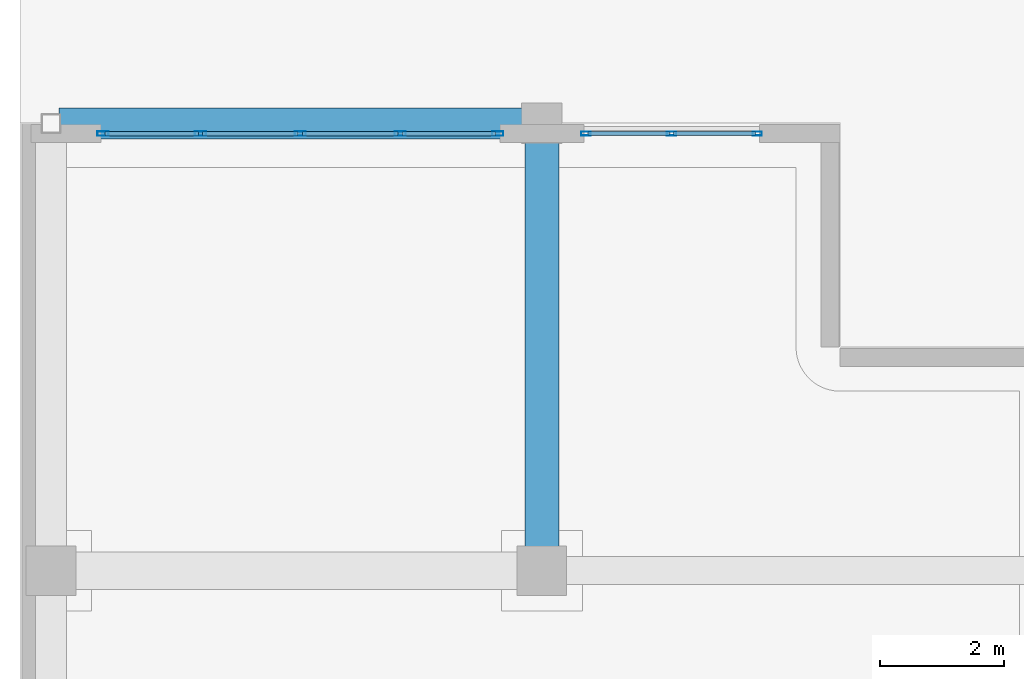
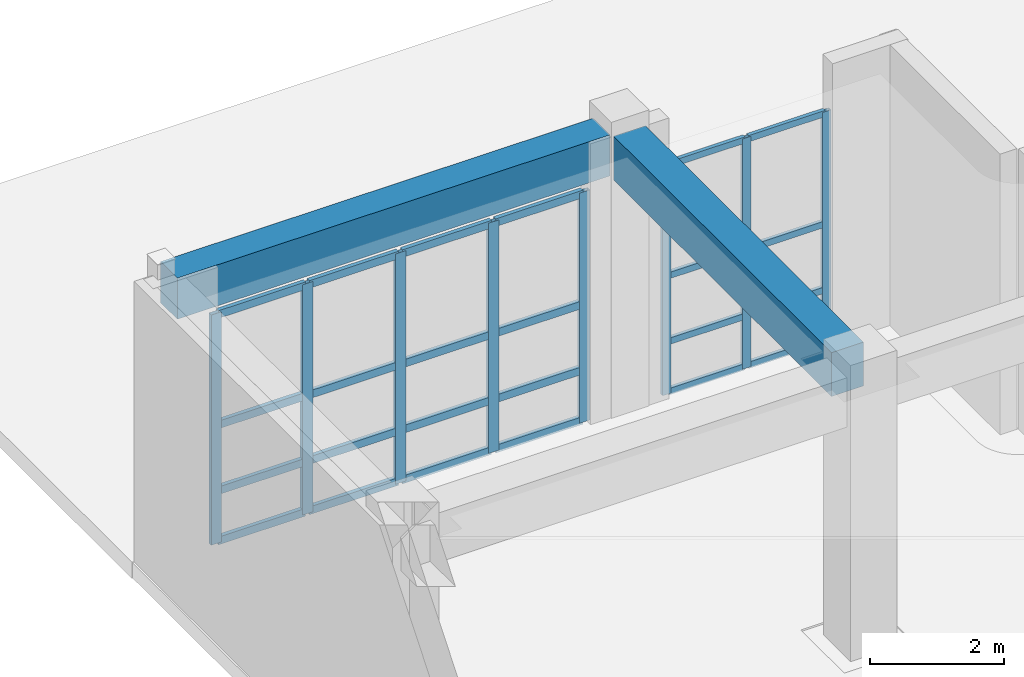
# One storey, part 55 of 148: 32 members, 2 beams, 2 elements without a shape of their own.
"""IFC4 building model written with IfcOpenShell, lengths in metres."""

from ifc_helpers import new_model, si_unit, direction, frame, origin, origin_2d, place, context, subcontext, project, spatial, rectangle, hollow_rectangle, extrude, material, layer, layer_set, material_profile, profile_set, type_object, element, aggregate, save


model = new_model("IFC4")

# Units and contexts
model_context = context("Model", 3, precision=1e-05, world=origin(), true_north=direction((0.0, 1.0)))
body_context = subcontext(model_context, "Body", "Model", "MODEL_VIEW")
ifc_project = project(units=[si_unit("LENGTHUNIT", "METRE"), si_unit("AREAUNIT", "SQUARE_METRE"), si_unit("VOLUMEUNIT", "CUBIC_METRE"), si_unit("PLANEANGLEUNIT", "RADIAN"), si_unit("MASSUNIT", "GRAM", prefix="KILO")], contexts=[model_context])

# Site, building, storey
site_placement = place(None, origin())
site = spatial("IfcSite", under=ifc_project, at=site_placement, CompositionType="ELEMENT")
building_placement = place(site_placement, origin())
building = spatial("IfcBuilding", under=site, at=building_placement, Name="Quendrovan Civic Courthouse", CompositionType="ELEMENT")
storey_placement = place(building_placement, origin())
storey = spatial("IfcBuildingStorey", under=building, at=storey_placement, Name="L01", CompositionType="ELEMENT", Elevation=0.0)

# Beams
ifc_material_1 = material(Name="Concrete C40/50", Category="concrete")
ifc_material_profile_1 = material_profile(ifc_material_1, rectangle(XDim=0.5, YDim=0.75, at=origin_2d()), Name="RC-BM-500x750")
ifc_profile_set_1 = profile_set([ifc_material_profile_1], Name="Concrete C40/50")
beam_type_1 = type_object("IfcBeamType", Name="BM-RC750", PredefinedType="SPANDREL", material=ifc_profile_set_1)
beam_1_placement = place(storey_placement, frame((0.6298828125, 102.0, 4.7451171875), z_axis=(1.0, 0.0, 0.0), x_axis=(0.0, 1.0, 0.0)))
element("IfcBeam", 1, at=beam_1_placement, inside=storey, type_object=beam_type_1, Name="L01 Girder X0340", PredefinedType="SPANDREL", context=body_context, shape_type="SweptSolid", body=[
    extrude(rectangle(XDim=0.5, YDim=0.75, at=origin_2d()), origin(), (0.0, 0.0, 1.0), 7.465087890625),
])
ifc_material_profile_2 = material_profile(ifc_material_1, rectangle(XDim=0.550048828125, YDim=0.800048828125, at=origin_2d()), Name="RC-BM-550x800")
ifc_profile_set_2 = profile_set([ifc_material_profile_2], Name="Concrete C40/50")
beam_type_2 = type_object("IfcBeamType", Name="BM-RC800", PredefinedType="BEAM", material=ifc_profile_set_2)
beam_2_placement = place(storey_placement, frame((8.39990234375, 95.179931640625, 4.719970703125), z_axis=(0.0, 1.0, 0.0), x_axis=(-1.0, 0.0, 0.0)))
element("IfcBeam", 2, at=beam_2_placement, inside=storey, type_object=beam_type_2, Name="L01 Girder Y0386", PredefinedType="BEAM", context=body_context, shape_type="SweptSolid", body=[
    extrude(rectangle(XDim=0.550048828125, YDim=0.800048828125, at=origin_2d()), origin(), (0.0, 0.0, 1.0), 6.51513671875),
])

# Curtain wall, members
ifc_material_2 = material(Name="Bronze anodised aluminium and low-E glass", Category="aluminium")
ifc_layer_1 = layer(ifc_material_2, 0.179931640625, Name="Bronze anodised aluminium and low-E glass")
ifc_layer_set_1 = layer_set([ifc_layer_1], Name="Bronze anodised aluminium and low-E glass")
curtain_wall_type_1 = type_object("IfcCurtainWallType", Name="CW-U64x42", PredefinedType="USERDEFINED", material=ifc_layer_set_1)
curtain_wall_1_placement = place(storey_placement, origin())
curtain_wall_1 = element("IfcCurtainWall", 3, at=curtain_wall_1_placement, inside=storey, type_object=curtain_wall_type_1, Name="L01 Unitised Hurricane Curtain Wall CW-016", ObjectType="UNITISED CURTAIN WALL", PredefinedType="USERDEFINED")
ifc_material_3 = material(Name="Bronze anodised aluminium", Category="aluminium")
ifc_material_profile_3 = material_profile(ifc_material_3, hollow_rectangle(XDim=0.070068359375, YDim=0.179931640625, WallThickness=0.00390625, at=origin_2d()), Name="CW-MULL-70x180")
ifc_profile_set_3 = profile_set([ifc_material_profile_3], Name="Bronze anodised aluminium")
member_type_1 = type_object("IfcMemberType", Name="CW-MULL-A", PredefinedType="MULLION", material=ifc_profile_set_3)
member_1_placement = place(storey_placement, frame((1.3349609375, 101.8349609375, 0.0), z_axis=(0.0, 0.0, 1.0), x_axis=(0.0, 1.0, 0.0)))
member_1 = element("IfcMember", 4, at=member_1_placement, type_object=member_type_1, Name="CW-016 mullion 1", PredefinedType="MULLION", context=body_context, shape_type="SweptSolid", body=[
    extrude(hollow_rectangle(XDim=0.070068359375, YDim=0.179931640625, WallThickness=0.00390625, at=origin_2d()), origin(), (0.0, 0.0, 1.0), 4.199951171875),
])
member_2_placement = place(storey_placement, frame((2.90625, 101.8349609375, 0.0), z_axis=(0.0, 0.0, 1.0), x_axis=(0.0, 1.0, 0.0)))
member_2 = element("IfcMember", 5, at=member_2_placement, type_object=member_type_1, Name="CW-016 mullion 2", PredefinedType="MULLION", context=body_context, shape_type="SweptSolid", body=[
    extrude(hollow_rectangle(XDim=0.070068359375, YDim=0.179931640625, WallThickness=0.00390625, at=origin_2d()), origin(), (0.0, 0.0, 1.0), 4.199951171875),
])
member_3_placement = place(storey_placement, frame((4.512451171875, 101.8349609375, 0.0), z_axis=(0.0, 0.0, 1.0), x_axis=(0.0, 1.0, 0.0)))
member_3 = element("IfcMember", 6, at=member_3_placement, type_object=member_type_1, Name="CW-016 mullion 3", PredefinedType="MULLION", context=body_context, shape_type="SweptSolid", body=[
    extrude(hollow_rectangle(XDim=0.070068359375, YDim=0.179931640625, WallThickness=0.00390625, at=origin_2d()), origin(), (0.0, 0.0, 1.0), 4.199951171875),
])
member_4_placement = place(storey_placement, frame((6.11865234375, 101.8349609375, 0.0), z_axis=(0.0, 0.0, 1.0), x_axis=(0.0, 1.0, 0.0)))
member_4 = element("IfcMember", 7, at=member_4_placement, type_object=member_type_1, Name="CW-016 mullion 4", PredefinedType="MULLION", context=body_context, shape_type="SweptSolid", body=[
    extrude(hollow_rectangle(XDim=0.070068359375, YDim=0.179931640625, WallThickness=0.00390625, at=origin_2d()), origin(), (0.0, 0.0, 1.0), 4.199951171875),
])
member_5_placement = place(storey_placement, frame((7.68994140625, 101.8349609375, 0.0), z_axis=(0.0, 0.0, 1.0), x_axis=(0.0, 1.0, 0.0)))
member_5 = element("IfcMember", 8, at=member_5_placement, type_object=member_type_1, Name="CW-016 mullion 5", PredefinedType="MULLION", context=body_context, shape_type="SweptSolid", body=[
    extrude(hollow_rectangle(XDim=0.070068359375, YDim=0.179931640625, WallThickness=0.00390625, at=origin_2d()), origin(), (0.0, 0.0, 1.0), 4.199951171875),
])

ifc_layer_2 = layer(ifc_material_2, 0.179931640625, Name="Bronze anodised aluminium and low-E glass")
ifc_layer_set_2 = layer_set([ifc_layer_2], Name="Bronze anodised aluminium and low-E glass")
curtain_wall_type_2 = type_object("IfcCurtainWallType", Name="CW-U28x42", PredefinedType="USERDEFINED", material=ifc_layer_set_2)
curtain_wall_2_placement = place(storey_placement, origin())
curtain_wall_2 = element("IfcCurtainWall", 9, at=curtain_wall_2_placement, inside=storey, type_object=curtain_wall_type_2, Name="L01 Unitised Hurricane Curtain Wall CW-017", ObjectType="UNITISED CURTAIN WALL", PredefinedType="USERDEFINED")
ifc_material_profile_4 = material_profile(ifc_material_3, hollow_rectangle(XDim=0.06494140625, YDim=0.14990234375, WallThickness=0.00390625, at=origin_2d()), Name="CW-MULL-65x150")
ifc_profile_set_4 = profile_set([ifc_material_profile_4], Name="Bronze anodised aluminium")
member_type_2 = type_object("IfcMemberType", Name="CW-MULL-B", PredefinedType="MULLION", material=ifc_profile_set_4)
member_6_placement = place(storey_placement, frame((9.107421875, 101.8349609375, 0.0), z_axis=(0.0, 0.0, 1.0), x_axis=(0.0, 1.0, 0.0)))
member_6 = element("IfcMember", 10, at=member_6_placement, type_object=member_type_2, Name="CW-017 mullion 1", PredefinedType="MULLION", context=body_context, shape_type="SweptSolid", body=[
    extrude(hollow_rectangle(XDim=0.06494140625, YDim=0.14990234375, WallThickness=0.00390625, at=origin_2d()), origin(), (0.0, 0.0, 1.0), 4.199951171875),
])
member_7_placement = place(storey_placement, frame((10.487548828125, 101.8349609375, 0.0), z_axis=(0.0, 0.0, 1.0), x_axis=(0.0, 1.0, 0.0)))
member_7 = element("IfcMember", 11, at=member_7_placement, type_object=member_type_2, Name="CW-017 mullion 2", PredefinedType="MULLION", context=body_context, shape_type="SweptSolid", body=[
    extrude(hollow_rectangle(XDim=0.06494140625, YDim=0.14990234375, WallThickness=0.00390625, at=origin_2d()), origin(), (0.0, 0.0, 1.0), 4.199951171875),
])
member_8_placement = place(storey_placement, frame((11.867431640625, 101.8349609375, 0.0), z_axis=(0.0, 0.0, 1.0), x_axis=(0.0, 1.0, 0.0)))
member_8 = element("IfcMember", 12, at=member_8_placement, type_object=member_type_2, Name="CW-017 mullion 3", PredefinedType="MULLION", context=body_context, shape_type="SweptSolid", body=[
    extrude(hollow_rectangle(XDim=0.06494140625, YDim=0.14990234375, WallThickness=0.00390625, at=origin_2d()), origin(), (0.0, 0.0, 1.0), 4.199951171875),
])

# Member
ifc_material_profile_5 = material_profile(ifc_material_3, hollow_rectangle(XDim=0.070068359375, YDim=0.139892578125, WallThickness=0.00390625, at=origin_2d()), Name="CW-TRAN-70x140")
ifc_profile_set_5 = profile_set([ifc_material_profile_5], Name="Bronze anodised aluminium")
member_type_3 = type_object("IfcMemberType", Name="CW-TRAN-A", PredefinedType="USERDEFINED", material=ifc_profile_set_5)
member_9_placement = place(storey_placement, frame((1.3701171875, 101.8349609375, 0.034912109375), z_axis=(1.0, 0.0, 0.0), x_axis=(0.0, 1.0, 0.0)))
member_9 = element("IfcMember", 13, at=member_9_placement, type_object=member_type_3, Name="CW-016 transom 1.1", ObjectType="TRANSOM", PredefinedType="USERDEFINED", context=body_context, shape_type="SweptSolid", body=[
    extrude(hollow_rectangle(XDim=0.070068359375, YDim=0.139892578125, WallThickness=0.00390625, at=origin_2d()), origin(), (0.0, 0.0, 1.0), 1.501220703125),
])

member_10_placement = place(storey_placement, frame((1.3701171875, 101.8349609375, 0.949951171875), z_axis=(1.0, 0.0, 0.0), x_axis=(0.0, 1.0, 0.0)))
member_10 = element("IfcMember", 14, at=member_10_placement, type_object=member_type_3, Name="CW-016 transom 1.2", ObjectType="TRANSOM", PredefinedType="USERDEFINED", context=body_context, shape_type="SweptSolid", body=[
    extrude(hollow_rectangle(XDim=0.070068359375, YDim=0.139892578125, WallThickness=0.00390625, at=origin_2d()), origin(), (0.0, 0.0, 1.0), 1.501220703125),
])

member_11_placement = place(storey_placement, frame((1.3701171875, 101.8349609375, 2.14990234375), z_axis=(1.0, 0.0, 0.0), x_axis=(0.0, 1.0, 0.0)))
member_11 = element("IfcMember", 15, at=member_11_placement, type_object=member_type_3, Name="CW-016 transom 1.3", ObjectType="TRANSOM", PredefinedType="USERDEFINED", context=body_context, shape_type="SweptSolid", body=[
    extrude(hollow_rectangle(XDim=0.070068359375, YDim=0.139892578125, WallThickness=0.00390625, at=origin_2d()), origin(), (0.0, 0.0, 1.0), 1.501220703125),
])

member_12_placement = place(storey_placement, frame((1.3701171875, 101.8349609375, 4.1650390625), z_axis=(1.0, 0.0, 0.0), x_axis=(0.0, 1.0, 0.0)))
member_12 = element("IfcMember", 16, at=member_12_placement, type_object=member_type_3, Name="CW-016 transom 1.4", ObjectType="TRANSOM", PredefinedType="USERDEFINED", context=body_context, shape_type="SweptSolid", body=[
    extrude(hollow_rectangle(XDim=0.070068359375, YDim=0.139892578125, WallThickness=0.00390625, at=origin_2d()), origin(), (0.0, 0.0, 1.0), 1.501220703125),
])

member_13_placement = place(storey_placement, frame((2.941162109375, 101.8349609375, 0.034912109375), z_axis=(1.0, 0.0, 0.0), x_axis=(0.0, 1.0, 0.0)))
member_13 = element("IfcMember", 17, at=member_13_placement, type_object=member_type_3, Name="CW-016 transom 2.1", ObjectType="TRANSOM", PredefinedType="USERDEFINED", context=body_context, shape_type="SweptSolid", body=[
    extrude(hollow_rectangle(XDim=0.070068359375, YDim=0.139892578125, WallThickness=0.00390625, at=origin_2d()), origin(), (0.0, 0.0, 1.0), 1.536376953125),
])

member_14_placement = place(storey_placement, frame((2.941162109375, 101.8349609375, 0.949951171875), z_axis=(1.0, 0.0, 0.0), x_axis=(0.0, 1.0, 0.0)))
member_14 = element("IfcMember", 18, at=member_14_placement, type_object=member_type_3, Name="CW-016 transom 2.2", ObjectType="TRANSOM", PredefinedType="USERDEFINED", context=body_context, shape_type="SweptSolid", body=[
    extrude(hollow_rectangle(XDim=0.070068359375, YDim=0.139892578125, WallThickness=0.00390625, at=origin_2d()), origin(), (0.0, 0.0, 1.0), 1.536376953125),
])

member_15_placement = place(storey_placement, frame((2.941162109375, 101.8349609375, 2.14990234375), z_axis=(1.0, 0.0, 0.0), x_axis=(0.0, 1.0, 0.0)))
member_15 = element("IfcMember", 19, at=member_15_placement, type_object=member_type_3, Name="CW-016 transom 2.3", ObjectType="TRANSOM", PredefinedType="USERDEFINED", context=body_context, shape_type="SweptSolid", body=[
    extrude(hollow_rectangle(XDim=0.070068359375, YDim=0.139892578125, WallThickness=0.00390625, at=origin_2d()), origin(), (0.0, 0.0, 1.0), 1.536376953125),
])

member_16_placement = place(storey_placement, frame((2.941162109375, 101.8349609375, 4.1650390625), z_axis=(1.0, 0.0, 0.0), x_axis=(0.0, 1.0, 0.0)))
member_16 = element("IfcMember", 20, at=member_16_placement, type_object=member_type_3, Name="CW-016 transom 2.4", ObjectType="TRANSOM", PredefinedType="USERDEFINED", context=body_context, shape_type="SweptSolid", body=[
    extrude(hollow_rectangle(XDim=0.070068359375, YDim=0.139892578125, WallThickness=0.00390625, at=origin_2d()), origin(), (0.0, 0.0, 1.0), 1.536376953125),
])

member_17_placement = place(storey_placement, frame((4.547607421875, 101.8349609375, 0.034912109375), z_axis=(1.0, 0.0, 0.0), x_axis=(0.0, 1.0, 0.0)))
member_17 = element("IfcMember", 21, at=member_17_placement, type_object=member_type_3, Name="CW-016 transom 3.1", ObjectType="TRANSOM", PredefinedType="USERDEFINED", context=body_context, shape_type="SweptSolid", body=[
    extrude(hollow_rectangle(XDim=0.070068359375, YDim=0.139892578125, WallThickness=0.00390625, at=origin_2d()), origin(), (0.0, 0.0, 1.0), 1.5361328125),
])

member_18_placement = place(storey_placement, frame((4.547607421875, 101.8349609375, 0.949951171875), z_axis=(1.0, 0.0, 0.0), x_axis=(0.0, 1.0, 0.0)))
member_18 = element("IfcMember", 22, at=member_18_placement, type_object=member_type_3, Name="CW-016 transom 3.2", ObjectType="TRANSOM", PredefinedType="USERDEFINED", context=body_context, shape_type="SweptSolid", body=[
    extrude(hollow_rectangle(XDim=0.070068359375, YDim=0.139892578125, WallThickness=0.00390625, at=origin_2d()), origin(), (0.0, 0.0, 1.0), 1.5361328125),
])

member_19_placement = place(storey_placement, frame((4.547607421875, 101.8349609375, 2.14990234375), z_axis=(1.0, 0.0, 0.0), x_axis=(0.0, 1.0, 0.0)))
member_19 = element("IfcMember", 23, at=member_19_placement, type_object=member_type_3, Name="CW-016 transom 3.3", ObjectType="TRANSOM", PredefinedType="USERDEFINED", context=body_context, shape_type="SweptSolid", body=[
    extrude(hollow_rectangle(XDim=0.070068359375, YDim=0.139892578125, WallThickness=0.00390625, at=origin_2d()), origin(), (0.0, 0.0, 1.0), 1.5361328125),
])

member_20_placement = place(storey_placement, frame((4.547607421875, 101.8349609375, 4.1650390625), z_axis=(1.0, 0.0, 0.0), x_axis=(0.0, 1.0, 0.0)))
member_20 = element("IfcMember", 24, at=member_20_placement, type_object=member_type_3, Name="CW-016 transom 3.4", ObjectType="TRANSOM", PredefinedType="USERDEFINED", context=body_context, shape_type="SweptSolid", body=[
    extrude(hollow_rectangle(XDim=0.070068359375, YDim=0.139892578125, WallThickness=0.00390625, at=origin_2d()), origin(), (0.0, 0.0, 1.0), 1.5361328125),
])

member_21_placement = place(storey_placement, frame((6.15380859375, 101.8349609375, 0.034912109375), z_axis=(1.0, 0.0, 0.0), x_axis=(0.0, 1.0, 0.0)))
member_21 = element("IfcMember", 25, at=member_21_placement, type_object=member_type_3, Name="CW-016 transom 4.1", ObjectType="TRANSOM", PredefinedType="USERDEFINED", context=body_context, shape_type="SweptSolid", body=[
    extrude(hollow_rectangle(XDim=0.070068359375, YDim=0.139892578125, WallThickness=0.00390625, at=origin_2d()), origin(), (0.0, 0.0, 1.0), 1.501220703125),
])

member_22_placement = place(storey_placement, frame((6.15380859375, 101.8349609375, 0.949951171875), z_axis=(1.0, 0.0, 0.0), x_axis=(0.0, 1.0, 0.0)))
member_22 = element("IfcMember", 26, at=member_22_placement, type_object=member_type_3, Name="CW-016 transom 4.2", ObjectType="TRANSOM", PredefinedType="USERDEFINED", context=body_context, shape_type="SweptSolid", body=[
    extrude(hollow_rectangle(XDim=0.070068359375, YDim=0.139892578125, WallThickness=0.00390625, at=origin_2d()), origin(), (0.0, 0.0, 1.0), 1.501220703125),
])

member_23_placement = place(storey_placement, frame((6.15380859375, 101.8349609375, 2.14990234375), z_axis=(1.0, 0.0, 0.0), x_axis=(0.0, 1.0, 0.0)))
member_23 = element("IfcMember", 27, at=member_23_placement, type_object=member_type_3, Name="CW-016 transom 4.3", ObjectType="TRANSOM", PredefinedType="USERDEFINED", context=body_context, shape_type="SweptSolid", body=[
    extrude(hollow_rectangle(XDim=0.070068359375, YDim=0.139892578125, WallThickness=0.00390625, at=origin_2d()), origin(), (0.0, 0.0, 1.0), 1.501220703125),
])

member_24_placement = place(storey_placement, frame((6.15380859375, 101.8349609375, 4.1650390625), z_axis=(1.0, 0.0, 0.0), x_axis=(0.0, 1.0, 0.0)))
member_24 = element("IfcMember", 28, at=member_24_placement, type_object=member_type_3, Name="CW-016 transom 4.4", ObjectType="TRANSOM", PredefinedType="USERDEFINED", context=body_context, shape_type="SweptSolid", body=[
    extrude(hollow_rectangle(XDim=0.070068359375, YDim=0.139892578125, WallThickness=0.00390625, at=origin_2d()), origin(), (0.0, 0.0, 1.0), 1.501220703125),
])

aggregate(curtain_wall_1, [member_1, member_2, member_3, member_4, member_5, member_9, member_10, member_11, member_12, member_13, member_14, member_15, member_16, member_17, member_18, member_19, member_20, member_21, member_22, member_23, member_24])

ifc_material_profile_6 = material_profile(ifc_material_3, hollow_rectangle(XDim=0.06494140625, YDim=0.114990234375, WallThickness=0.00390625, at=origin_2d()), Name="CW-TRAN-65x115")
ifc_profile_set_6 = profile_set([ifc_material_profile_6], Name="Bronze anodised aluminium")
member_type_4 = type_object("IfcMemberType", Name="CW-TRAN-B", PredefinedType="USERDEFINED", material=ifc_profile_set_6)
member_25_placement = place(storey_placement, frame((9.139892578125, 101.8349609375, 0.032470703125), z_axis=(1.0, 0.0, 0.0), x_axis=(0.0, 1.0, 0.0)))
member_25 = element("IfcMember", 29, at=member_25_placement, type_object=member_type_4, Name="CW-017 transom 1.1", ObjectType="TRANSOM", PredefinedType="USERDEFINED", context=body_context, shape_type="SweptSolid", body=[
    extrude(hollow_rectangle(XDim=0.06494140625, YDim=0.114990234375, WallThickness=0.00390625, at=origin_2d()), origin(), (0.0, 0.0, 1.0), 1.315185546875),
])

member_26_placement = place(storey_placement, frame((9.139892578125, 101.8349609375, 0.949951171875), z_axis=(1.0, 0.0, 0.0), x_axis=(0.0, 1.0, 0.0)))
member_26 = element("IfcMember", 30, at=member_26_placement, type_object=member_type_4, Name="CW-017 transom 1.2", ObjectType="TRANSOM", PredefinedType="USERDEFINED", context=body_context, shape_type="SweptSolid", body=[
    extrude(hollow_rectangle(XDim=0.06494140625, YDim=0.114990234375, WallThickness=0.00390625, at=origin_2d()), origin(), (0.0, 0.0, 1.0), 1.315185546875),
])

member_27_placement = place(storey_placement, frame((9.139892578125, 101.8349609375, 2.14990234375), z_axis=(1.0, 0.0, 0.0), x_axis=(0.0, 1.0, 0.0)))
member_27 = element("IfcMember", 31, at=member_27_placement, type_object=member_type_4, Name="CW-017 transom 1.3", ObjectType="TRANSOM", PredefinedType="USERDEFINED", context=body_context, shape_type="SweptSolid", body=[
    extrude(hollow_rectangle(XDim=0.06494140625, YDim=0.114990234375, WallThickness=0.00390625, at=origin_2d()), origin(), (0.0, 0.0, 1.0), 1.315185546875),
])

member_28_placement = place(storey_placement, frame((9.139892578125, 101.8349609375, 4.16748046875), z_axis=(1.0, 0.0, 0.0), x_axis=(0.0, 1.0, 0.0)))
member_28 = element("IfcMember", 32, at=member_28_placement, type_object=member_type_4, Name="CW-017 transom 1.4", ObjectType="TRANSOM", PredefinedType="USERDEFINED", context=body_context, shape_type="SweptSolid", body=[
    extrude(hollow_rectangle(XDim=0.06494140625, YDim=0.114990234375, WallThickness=0.00390625, at=origin_2d()), origin(), (0.0, 0.0, 1.0), 1.315185546875),
])

member_29_placement = place(storey_placement, frame((10.52001953125, 101.8349609375, 0.032470703125), z_axis=(1.0, 0.0, 0.0), x_axis=(0.0, 1.0, 0.0)))
member_29 = element("IfcMember", 33, at=member_29_placement, type_object=member_type_4, Name="CW-017 transom 2.1", ObjectType="TRANSOM", PredefinedType="USERDEFINED", context=body_context, shape_type="SweptSolid", body=[
    extrude(hollow_rectangle(XDim=0.06494140625, YDim=0.114990234375, WallThickness=0.00390625, at=origin_2d()), origin(), (0.0, 0.0, 1.0), 1.31494140625),
])

member_30_placement = place(storey_placement, frame((10.52001953125, 101.8349609375, 0.949951171875), z_axis=(1.0, 0.0, 0.0), x_axis=(0.0, 1.0, 0.0)))
member_30 = element("IfcMember", 34, at=member_30_placement, type_object=member_type_4, Name="CW-017 transom 2.2", ObjectType="TRANSOM", PredefinedType="USERDEFINED", context=body_context, shape_type="SweptSolid", body=[
    extrude(hollow_rectangle(XDim=0.06494140625, YDim=0.114990234375, WallThickness=0.00390625, at=origin_2d()), origin(), (0.0, 0.0, 1.0), 1.31494140625),
])

member_31_placement = place(storey_placement, frame((10.52001953125, 101.8349609375, 2.14990234375), z_axis=(1.0, 0.0, 0.0), x_axis=(0.0, 1.0, 0.0)))
member_31 = element("IfcMember", 35, at=member_31_placement, type_object=member_type_4, Name="CW-017 transom 2.3", ObjectType="TRANSOM", PredefinedType="USERDEFINED", context=body_context, shape_type="SweptSolid", body=[
    extrude(hollow_rectangle(XDim=0.06494140625, YDim=0.114990234375, WallThickness=0.00390625, at=origin_2d()), origin(), (0.0, 0.0, 1.0), 1.31494140625),
])

member_32_placement = place(storey_placement, frame((10.52001953125, 101.8349609375, 4.16748046875), z_axis=(1.0, 0.0, 0.0), x_axis=(0.0, 1.0, 0.0)))
member_32 = element("IfcMember", 36, at=member_32_placement, type_object=member_type_4, Name="CW-017 transom 2.4", ObjectType="TRANSOM", PredefinedType="USERDEFINED", context=body_context, shape_type="SweptSolid", body=[
    extrude(hollow_rectangle(XDim=0.06494140625, YDim=0.114990234375, WallThickness=0.00390625, at=origin_2d()), origin(), (0.0, 0.0, 1.0), 1.31494140625),
])

aggregate(curtain_wall_2, [member_6, member_7, member_8, member_25, member_26, member_27, member_28, member_29, member_30, member_31, member_32])

save(model, "model.ifc")
